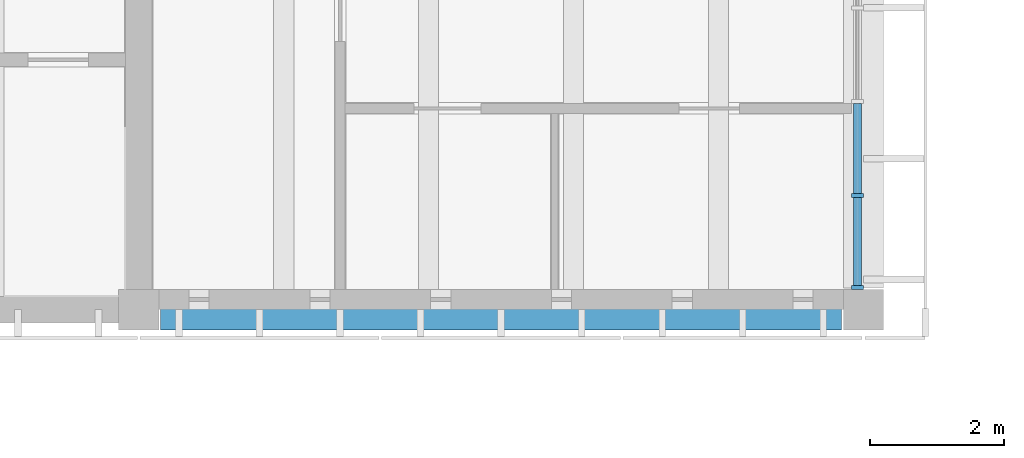
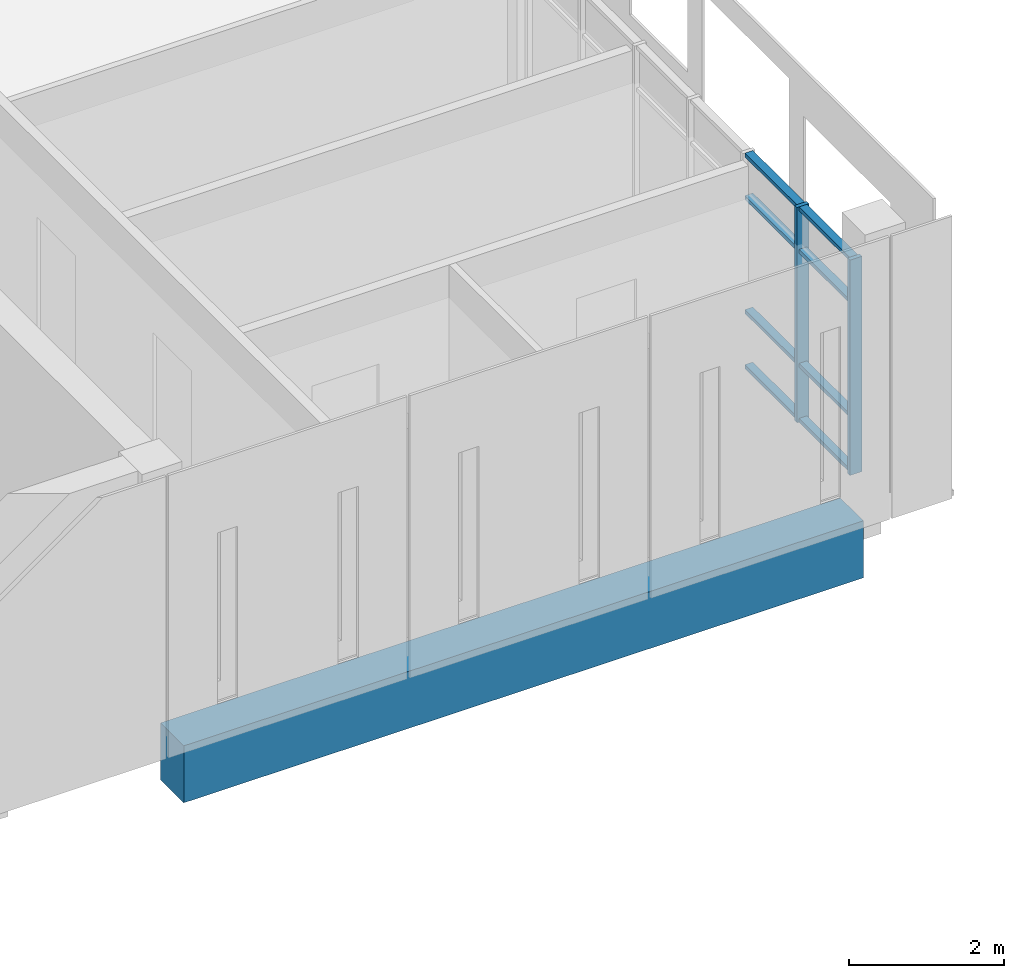
# One storey, part 8 of 88: 10 members, 1 beam, 1 element without a shape of its own.
"""IFC4 building model written with IfcOpenShell, lengths in metres."""

import ifcopenshell
import ifcopenshell.guid

model = None  # the IFC model being written
_history = None  # IfcOwnerHistory: only IFC2X3 demands one
_inside = {}  # id of a spatial element -> (the spatial element, [elements in it])
_under = {}  # id of a project, library or spatial element -> (it, [spatial elements below it])
_declared = {}  # id of a project -> (the project, [libraries it declares])
_typed = {}  # id of a type object -> (the type object, [elements of that type])
_made_of = {}  # id of a material, layer set ... -> (it, [elements and type objects made of it])


def new_model(schema):
    """Start an empty IFC model of exactly this schema.

    Asked for "IFC4X3", IfcOpenShell would pick the latest addendum, in which some entities
    have other attributes; the version numbers below select the first issue.
    IFC2X3 requires an IfcOwnerHistory on every rooted entity: one is made here for all.
    """
    global model, _history
    if schema == "IFC4X3":
        model = ifcopenshell.file(schema_version=(4, 3, 0, 0))
    else:
        model = ifcopenshell.file(schema=schema)
    _inside.clear()
    _under.clear()
    _declared.clear()
    _typed.clear()
    _made_of.clear()
    _history = None
    if model.schema == "IFC2X3":
        org = make("IfcOrganization", Name="unknown")
        user = make(
            "IfcPersonAndOrganization",
            ThePerson=make("IfcPerson", FamilyName="unknown"),
            TheOrganization=org,
        )
        app = make(
            "IfcApplication",
            ApplicationDeveloper=org,
            Version="unknown",
            ApplicationFullName="unknown",
            ApplicationIdentifier="unknown",
        )
        _history = make(
            "IfcOwnerHistory",
            OwningUser=user,
            OwningApplication=app,
            ChangeAction="ADDED",
            CreationDate=0,
        )
    return model


def make(cls, **values):
    """One entity of the class cls with the attributes given. An attribute that is None is left unset."""
    return model.create_entity(
        cls, **{name: value for name, value in values.items() if value is not None}
    )


def rooted(cls, **values):
    """An entity with a GlobalId (a new one), such as an element, a storey or a relation."""
    return make(cls, GlobalId=ifcopenshell.guid.new(), OwnerHistory=_history, **values)


def si_unit(unit_type, name, prefix=None):
    """IfcSIUnit, for example si_unit("LENGTHUNIT", "METRE", prefix="MILLI")."""
    return make("IfcSIUnit", UnitType=unit_type, Prefix=prefix, Name=name)


def assignment(units):
    """IfcUnitAssignment: the units of a project."""
    return None if units is None else make("IfcUnitAssignment", Units=units)


def point(xyz):
    """IfcCartesianPoint."""
    return None if xyz is None else make("IfcCartesianPoint", Coordinates=xyz)


def direction(xyz):
    """IfcDirection."""
    return None if xyz is None else make("IfcDirection", DirectionRatios=xyz)


def frame(location, z_axis=None, x_axis=None):
    """IfcAxis2Placement3D, a coordinate frame: its origin and axes. An axis left out is left unset."""
    return make(
        "IfcAxis2Placement3D",
        Location=point(location),
        Axis=direction(z_axis),
        RefDirection=direction(x_axis),
    )


def frame_2d(location, x_axis=None):
    """IfcAxis2Placement2D, a coordinate frame in the plane: its origin and x axis."""
    return make(
        "IfcAxis2Placement2D", Location=point(location), RefDirection=direction(x_axis)
    )


def origin():
    """The frame at (0, 0, 0) with its axes left unset."""
    return frame((0.0, 0.0, 0.0))


def origin_2d():
    """The frame at (0, 0) in the plane with its x axis left unset."""
    return frame_2d((0.0, 0.0))


def place(relative_to, where):
    """IfcLocalPlacement: puts the frame where relative to a parent placement (None: the world)."""
    return make(
        "IfcLocalPlacement", PlacementRelTo=relative_to, RelativePlacement=where
    )


def context(
    kind, dimensions, precision=None, world=None, true_north=None, identifier=None
):
    """IfcGeometricRepresentationContext, for example the 3D "Model" context."""
    return make(
        "IfcGeometricRepresentationContext",
        ContextIdentifier=identifier,
        ContextType=kind,
        CoordinateSpaceDimension=dimensions,
        Precision=precision,
        WorldCoordinateSystem=world,
        TrueNorth=true_north,
    )


def subcontext(parent, identifier, kind, view, scale=None):
    """IfcGeometricRepresentationSubContext, for example "Body" below "Model"."""
    return make(
        "IfcGeometricRepresentationSubContext",
        ContextIdentifier=identifier,
        ContextType=kind,
        ParentContext=parent,
        TargetScale=scale,
        TargetView=view,
    )


def project(units=None, contexts=None):
    """IfcProject with its units and contexts."""
    return rooted(
        "IfcProject",
        Name="project",
        RepresentationContexts=contexts,
        UnitsInContext=assignment(units),
    )


def spatial(cls, under=None, at=None, **own):
    """A site, building, storey or space (cls), placed at a placement, below another one or the project."""
    s = rooted(cls, ObjectPlacement=at, **own)
    if under is not None:
        _under.setdefault(under.id(), (under, []))[1].append(s)
    return s


def profile(cls, at=None, kind="AREA", **sizes):
    """A parametric profile (cls). Its sizes go by their IFC names, for example OverallWidth=200.0."""
    return make(cls, ProfileType=kind, Position=at, **sizes)


def rectangle(**sizes):
    """IfcRectangleProfileDef."""
    return profile("IfcRectangleProfileDef", **sizes)


def extrude(swept, where, along, depth):
    """IfcExtrudedAreaSolid: the profile swept, set in the frame where, extruded along a direction by depth."""
    return make(
        "IfcExtrudedAreaSolid",
        SweptArea=swept,
        Position=where,
        ExtrudedDirection=direction(along),
        Depth=depth,
    )


def shape(context_of_items, identifier, shape_type, items):
    """IfcShapeRepresentation: the items that make up one representation, for example the "Body"."""
    return make(
        "IfcShapeRepresentation",
        ContextOfItems=context_of_items,
        RepresentationIdentifier=identifier,
        RepresentationType=shape_type,
        Items=items,
    )


def material(Name=None, Category=None):
    """IfcMaterial."""
    return make("IfcMaterial", Name=Name, Category=Category)


def material_profile(
    of_material, cross_section, Name=None, Category=None, Priority=None
):
    """IfcMaterialProfile: a cross section and its material."""
    return make(
        "IfcMaterialProfile",
        Name=Name,
        Material=of_material,
        Profile=cross_section,
        Priority=Priority,
        Category=Category,
    )


def profile_set(profiles, Name=None, composite=None):
    """IfcMaterialProfileSet."""
    return make(
        "IfcMaterialProfileSet",
        Name=Name,
        MaterialProfiles=profiles,
        CompositeProfile=composite,
    )


def made_of(thing, what):
    """Note that an element or type object is made of a material, layer set ...; save() writes the relation."""
    if what is not None:
        _made_of.setdefault(what.id(), (what, []))[1].append(thing)
    return thing


def type_object(cls, material=None, **own):
    """A type object (cls), such as IfcWallType, which elements share."""
    return made_of(rooted(cls, **own), material)


def element(
    cls,
    number,
    at=None,
    inside=None,
    cuts=None,
    type_object=None,
    material=None,
    context=None,
    identifier="Body",
    shape_type=None,
    held_by="IfcProductDefinitionShape",
    body=None,
    shapes=None,
    **own,
):
    """One element of the class cls, such as IfcWall. Its Tag is "e" and its number.

    at: its placement. inside: the storey or other place that contains it. cuts: it is an
    opening in that element (IfcRelVoidsElement). A single representation is given by context,
    identifier, shape_type and body (its items); several are given by shapes. held_by: the class
    of the entity that holds the representations. save() writes the other relations.
    """
    e = rooted(cls, Tag="e%d" % number, ObjectPlacement=at, **own)
    if body is not None:
        shapes = [shape(context, identifier, shape_type, body)]
    if shapes is not None:
        e.Representation = make(held_by, Representations=shapes)
    if inside is not None:
        _inside.setdefault(inside.id(), (inside, []))[1].append(e)
    if cuts is not None:
        rooted(
            "IfcRelVoidsElement", RelatingBuildingElement=cuts, RelatedOpeningElement=e
        )
    if type_object is not None:
        _typed.setdefault(type_object.id(), (type_object, []))[1].append(e)
    return made_of(e, material)


def aggregate(whole, parts):
    """IfcRelAggregates: a whole, such as a stair, and the parts it consists of."""
    return rooted("IfcRelAggregates", RelatingObject=whole, RelatedObjects=parts)


def save(model, path):
    """Write the relations noted so far, then the file.

    IfcRelAggregates (storeys below a building ...), IfcRelContainedInSpatialStructure (elements
    in a storey), IfcRelDefinesByType, IfcRelAssociatesMaterial and IfcRelDeclares: one each for
    every whole, place, type object, material and project.
    """
    for whole, parts in _under.values():
        aggregate(whole, parts)
    for where, things in _inside.values():
        rooted(
            "IfcRelContainedInSpatialStructure",
            RelatedElements=things,
            RelatingStructure=where,
        )
    for kind, things in _typed.values():
        rooted("IfcRelDefinesByType", RelatedObjects=things, RelatingType=kind)
    for what, things in _made_of.values():
        rooted("IfcRelAssociatesMaterial", RelatedObjects=things, RelatingMaterial=what)
    for by, libraries in _declared.values():
        rooted("IfcRelDeclares", RelatingContext=by, RelatedDefinitions=libraries)
    model.write(path)


model = new_model("IFC4")

# Units and contexts
model_context = context("Model", 3, precision=1e-05, world=origin(), true_north=direction((0.0, 1.0)))
body_context = subcontext(model_context, "Body", "Model", "MODEL_VIEW")
ifc_project = project(units=[si_unit("LENGTHUNIT", "METRE"), si_unit("AREAUNIT", "SQUARE_METRE"), si_unit("VOLUMEUNIT", "CUBIC_METRE"), si_unit("PLANEANGLEUNIT", "RADIAN"), si_unit("MASSUNIT", "GRAM", prefix="KILO")], contexts=[model_context])

# Site, building, storey
site_placement = place(None, origin())
site = spatial("IfcSite", under=ifc_project, at=site_placement, CompositionType="ELEMENT")
building_placement = place(site_placement, origin())
building = spatial("IfcBuilding", under=site, at=building_placement, Name="Merrow Basin Faculty of Sciences", CompositionType="ELEMENT")
storey_placement = place(building_placement, frame((0.0, 0.0, 9.0)))
storey = spatial("IfcBuildingStorey", under=building, at=storey_placement, Name="L02", CompositionType="ELEMENT", Elevation=9.0)

# Curtain wall, members
ifc_material_1 = material(Name="Aluminium alloy 6063", Category="aluminium")
curtain_wall_type = type_object("IfcCurtainWallType", Name="Bar unitised curtain wall 180", PredefinedType="NOTDEFINED", material=ifc_material_1)
curtain_wall_placement = place(storey_placement, origin())
curtain_wall = element("IfcCurtainWall", 1, at=curtain_wall_placement, inside=storey, type_object=curtain_wall_type, Name="East curtain wall L02 1", PredefinedType="NOTDEFINED")
ifc_material_2 = material(Name="Aluminium alloy 6063", Category="aluminium")
ifc_material_profile_1 = material_profile(ifc_material_2, rectangle(XDim=0.179931640625, YDim=0.06005859375, at=origin_2d()))
ifc_profile_set_1 = profile_set([ifc_material_profile_1], Name="Aluminium alloy 6063")
member_type_1 = type_object("IfcMemberType", Name="Aluminium mullion 60x180", PredefinedType="MULLION", material=ifc_profile_set_1)
member_1_placement = place(storey_placement, frame((21.510009765625, 61.330078125, 0.0), z_axis=(0.0, 0.0, 1.0), x_axis=(-1.0, 0.0, 0.0)))
member_1 = element("IfcMember", 2, at=member_1_placement, type_object=member_type_1, Name="CW1 mullion 1", PredefinedType="MULLION", context=body_context, shape_type="SweptSolid", body=[
    extrude(rectangle(XDim=0.179931640625, YDim=0.06005859375, at=origin_2d()), origin(), (0.0, 0.0, 1.0), 3.39990234375),
])
member_2_placement = place(storey_placement, frame((21.510009765625, 62.699951171875, 0.0), z_axis=(0.0, 0.0, 1.0), x_axis=(-1.0, 0.0, 0.0)))
member_2 = element("IfcMember", 3, at=member_2_placement, type_object=member_type_1, Name="CW1 mullion 2", PredefinedType="MULLION", context=body_context, shape_type="SweptSolid", body=[
    extrude(rectangle(XDim=0.179931640625, YDim=0.06005859375, at=origin_2d()), origin(), (0.0, 0.0, 1.0), 3.39990234375),
])
ifc_material_3 = material(Name="Aluminium alloy 6063", Category="aluminium")
ifc_material_profile_2 = material_profile(ifc_material_3, rectangle(XDim=0.1201171875, YDim=0.06005859375, at=origin_2d()))
ifc_profile_set_2 = profile_set([ifc_material_profile_2], Name="Aluminium alloy 6063")
member_type_2 = type_object("IfcMemberType", Name="Aluminium transom 60x120", PredefinedType="USERDEFINED", material=ifc_profile_set_2)
member_3_placement = place(storey_placement, frame((21.510009765625, 61.360107421875, 0.030029296875), z_axis=(0.0, 1.0, 0.0), x_axis=(-1.0, 0.0, 0.0)))
member_3 = element("IfcMember", 4, at=member_3_placement, type_object=member_type_2, Name="CW1 transom 1.1", ObjectType="TRANSOM", PredefinedType="USERDEFINED", context=body_context, shape_type="SweptSolid", body=[
    extrude(rectangle(XDim=0.1201171875, YDim=0.06005859375, at=origin_2d()), origin(), (0.0, 0.0, 1.0), 1.309814453125),
])
member_4_placement = place(storey_placement, frame((21.510009765625, 61.360107421875, 0.89990234375), z_axis=(0.0, 1.0, 0.0), x_axis=(-1.0, 0.0, 0.0)))
member_4 = element("IfcMember", 5, at=member_4_placement, type_object=member_type_2, Name="CW1 transom 1.2", ObjectType="TRANSOM", PredefinedType="USERDEFINED", context=body_context, shape_type="SweptSolid", body=[
    extrude(rectangle(XDim=0.1201171875, YDim=0.06005859375, at=origin_2d()), origin(), (0.0, 0.0, 1.0), 1.309814453125),
])
member_5_placement = place(storey_placement, frame((21.510009765625, 61.360107421875, 2.699951171875), z_axis=(0.0, 1.0, 0.0), x_axis=(-1.0, 0.0, 0.0)))
member_5 = element("IfcMember", 6, at=member_5_placement, type_object=member_type_2, Name="CW1 transom 1.3", ObjectType="TRANSOM", PredefinedType="USERDEFINED", context=body_context, shape_type="SweptSolid", body=[
    extrude(rectangle(XDim=0.1201171875, YDim=0.06005859375, at=origin_2d()), origin(), (0.0, 0.0, 1.0), 1.309814453125),
])
member_6_placement = place(storey_placement, frame((21.510009765625, 61.360107421875, 3.3701171875), z_axis=(0.0, 1.0, 0.0), x_axis=(-1.0, 0.0, 0.0)))
member_6 = element("IfcMember", 7, at=member_6_placement, type_object=member_type_2, Name="CW1 transom 1.4", ObjectType="TRANSOM", PredefinedType="USERDEFINED", context=body_context, shape_type="SweptSolid", body=[
    extrude(rectangle(XDim=0.1201171875, YDim=0.06005859375, at=origin_2d()), origin(), (0.0, 0.0, 1.0), 1.309814453125),
])
member_7_placement = place(storey_placement, frame((21.510009765625, 62.72998046875, 0.030029296875), z_axis=(0.0, 1.0, 0.0), x_axis=(-1.0, 0.0, 0.0)))
member_7 = element("IfcMember", 8, at=member_7_placement, type_object=member_type_2, Name="CW1 transom 2.1", ObjectType="TRANSOM", PredefinedType="USERDEFINED", context=body_context, shape_type="SweptSolid", body=[
    extrude(rectangle(XDim=0.1201171875, YDim=0.06005859375, at=origin_2d()), origin(), (0.0, 0.0, 1.0), 1.340087890625),
])
member_8_placement = place(storey_placement, frame((21.510009765625, 62.72998046875, 0.89990234375), z_axis=(0.0, 1.0, 0.0), x_axis=(-1.0, 0.0, 0.0)))
member_8 = element("IfcMember", 9, at=member_8_placement, type_object=member_type_2, Name="CW1 transom 2.2", ObjectType="TRANSOM", PredefinedType="USERDEFINED", context=body_context, shape_type="SweptSolid", body=[
    extrude(rectangle(XDim=0.1201171875, YDim=0.06005859375, at=origin_2d()), origin(), (0.0, 0.0, 1.0), 1.340087890625),
])
member_9_placement = place(storey_placement, frame((21.510009765625, 62.72998046875, 2.699951171875), z_axis=(0.0, 1.0, 0.0), x_axis=(-1.0, 0.0, 0.0)))
member_9 = element("IfcMember", 10, at=member_9_placement, type_object=member_type_2, Name="CW1 transom 2.3", ObjectType="TRANSOM", PredefinedType="USERDEFINED", context=body_context, shape_type="SweptSolid", body=[
    extrude(rectangle(XDim=0.1201171875, YDim=0.06005859375, at=origin_2d()), origin(), (0.0, 0.0, 1.0), 1.340087890625),
])
member_10_placement = place(storey_placement, frame((21.510009765625, 62.72998046875, 3.3701171875), z_axis=(0.0, 1.0, 0.0), x_axis=(-1.0, 0.0, 0.0)))
member_10 = element("IfcMember", 11, at=member_10_placement, type_object=member_type_2, Name="CW1 transom 2.4", ObjectType="TRANSOM", PredefinedType="USERDEFINED", context=body_context, shape_type="SweptSolid", body=[
    extrude(rectangle(XDim=0.1201171875, YDim=0.06005859375, at=origin_2d()), origin(), (0.0, 0.0, 1.0), 1.340087890625),
])
aggregate(curtain_wall, [member_1, member_2, member_3, member_4, member_5, member_6, member_7, member_8, member_9, member_10])

# Beam
ifc_material_4 = material(Name="Concrete C40/50", Category="concrete")
ifc_material_profile_3 = material_profile(ifc_material_4, rectangle(XDim=0.60009765625, YDim=0.89990234375, at=origin_2d()))
ifc_profile_set_3 = profile_set([ifc_material_profile_3], Name="Concrete C40/50")
beam_type = type_object("IfcBeamType", Name="Beam RC600x900 C40/50", PredefinedType="BEAM", material=ifc_profile_set_3)
beam_placement = place(storey_placement, frame((11.125, 61.0, -0.75), z_axis=(1.0, 0.0, 0.0), x_axis=(0.0, 1.0, 0.0)))
element("IfcBeam", 12, at=beam_placement, inside=storey, type_object=beam_type, Name="B1 L02 001", PredefinedType="BEAM", context=body_context, shape_type="SweptSolid", body=[
    extrude(rectangle(XDim=0.60009765625, YDim=0.89990234375, at=origin_2d()), origin(), (0.0, 0.0, 1.0), 10.14990234375),
])

save(model, "model.ifc")
